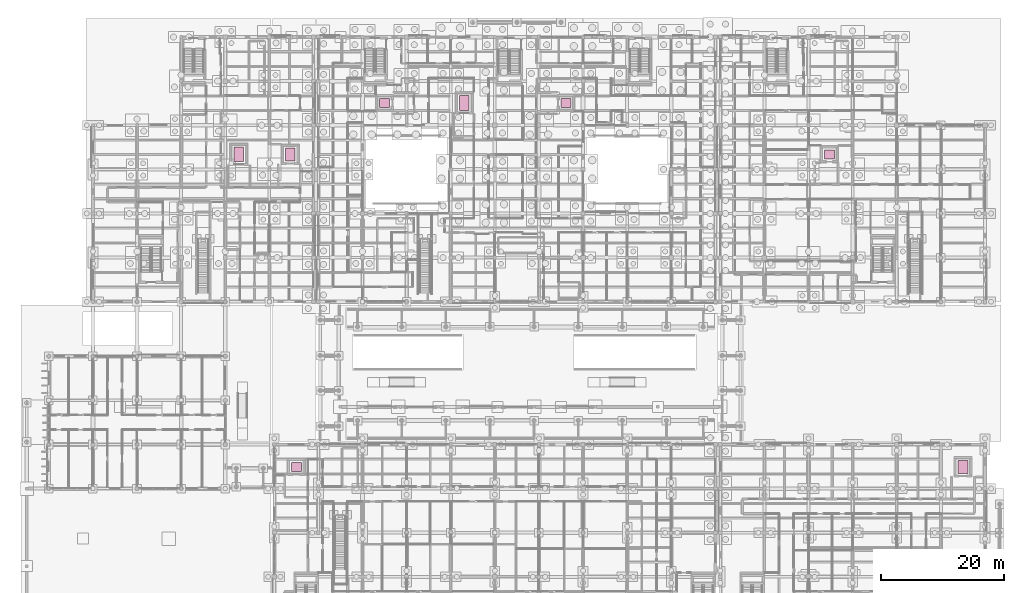
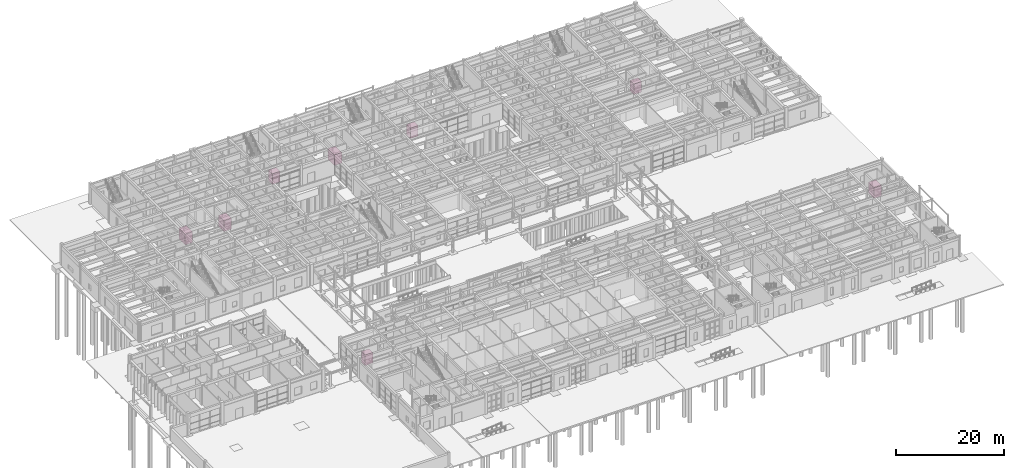
# One storey, part 143 of 143: 8 transport elements.
"""IFC4 building model written with IfcOpenShell, lengths in metres."""

from ifc_helpers import new_model, si_unit, direction, frame, origin, origin_2d, place, context, subcontext, project, spatial, rectangle, extrude, material, type_object, element, save


model = new_model("IFC4")

# Units and contexts
model_context = context("Model", 3, precision=1e-05, world=origin(), true_north=direction((0.0, 1.0)))
body_context = subcontext(model_context, "Body", "Model", "MODEL_VIEW")
ifc_project = project(units=[si_unit("LENGTHUNIT", "METRE"), si_unit("AREAUNIT", "SQUARE_METRE"), si_unit("VOLUMEUNIT", "CUBIC_METRE"), si_unit("PLANEANGLEUNIT", "RADIAN"), si_unit("MASSUNIT", "GRAM", prefix="KILO")], contexts=[model_context])

# Site, building, storey
site_placement = place(None, origin())
site = spatial("IfcSite", under=ifc_project, at=site_placement, CompositionType="ELEMENT")
building_placement = place(site_placement, origin())
building = spatial("IfcBuilding", under=site, at=building_placement, Name="Steenspoor Specialist Clinic", CompositionType="ELEMENT")
storey_placement = place(building_placement, origin())
storey = spatial("IfcBuildingStorey", under=building, at=storey_placement, Name="L00", CompositionType="ELEMENT", Elevation=0.0)

# Transport elements
ifc_material = material(Name="Brushed stainless steel lift car", Category="steel")
transport_element_type_1 = type_object("IfcTransportElementType", Name="LIFT-GOODS", PredefinedType="ELEVATOR", material=ifc_material)
for number, where, z_axis, x_axis, name in (
    (1, (47.800048828125, 89.199951171875, 0.0), (0.0, 0.0, 1.0), (1.0, 0.0, 0.0), "Lift EL-G1"),
    (2, (157.60009765625, 38.199951171875, 0.0), (0.0, 0.0, 1.0), (1.0, 0.0, 0.0), "Lift EL-G2"),
):
    element("IfcTransportElement", number, at=place(storey_placement, frame(where, z_axis=z_axis, x_axis=x_axis)), inside=storey, type_object=transport_element_type_1, Name=name, PredefinedType="ELEVATOR", context=body_context, shape_type="SweptSolid", body=[
        extrude(rectangle(XDim=1.60009765625, YDim=2.10009765625, at=origin_2d()), origin(), (0.0, 0.0, 1.0), 2.39990234375),
    ])
transport_element_type_2 = type_object("IfcTransportElementType", Name="LIFT-PASSENGER", PredefinedType="ELEVATOR", material=ifc_material)
for number, where, z_axis, x_axis, name in (
    (3, (92.800048828125, 97.60009765625, 0.0), (0.0, 0.0, 1.0), (1.0, 0.0, 0.0), "Lift EL-P1"),
    (4, (63.199951171875, 97.60009765625, 0.0), (0.0, 0.0, 1.0), (1.0, 0.0, 0.0), "Lift EL-P2"),
    (5, (135.800048828125, 89.199951171875, 0.0), (0.0, 0.0, 1.0), (1.0, 0.0, 0.0), "Lift EL-P3"),
    (6, (48.800048828125, 38.199951171875, 0.0), (0.0, 0.0, 1.0), (1.0, 0.0, 0.0), "Lift EL-P4"),
):
    element("IfcTransportElement", number, at=place(storey_placement, frame(where, z_axis=z_axis, x_axis=x_axis)), inside=storey, type_object=transport_element_type_2, Name=name, PredefinedType="ELEVATOR", context=body_context, shape_type="SweptSolid", body=[
        extrude(rectangle(XDim=1.64990234375, YDim=1.449951171875, at=origin_2d()), origin(), (0.0, 0.0, 1.0), 2.39990234375),
    ])
transport_element_type_3 = type_object("IfcTransportElementType", Name="LIFT-STRETCHER", PredefinedType="ELEVATOR", material=ifc_material)
for number, where, z_axis, x_axis, name in (
    (7, (76.199951171875, 97.60009765625, 0.0), (0.0, 0.0, 1.0), (1.0, 0.0, 0.0), "Lift EL-S1"),
    (8, (39.39990234375, 89.199951171875, 0.0), (0.0, 0.0, 1.0), (1.0, 0.0, 0.0), "Lift EL-S2"),
):
    element("IfcTransportElement", number, at=place(storey_placement, frame(where, z_axis=z_axis, x_axis=x_axis)), inside=storey, type_object=transport_element_type_3, Name=name, PredefinedType="ELEVATOR", context=body_context, shape_type="SweptSolid", body=[
        extrude(rectangle(XDim=1.60009765625, YDim=2.39990234375, at=origin_2d()), origin(), (0.0, 0.0, 1.0), 2.39990234375),
    ])

save(model, "model.ifc")
